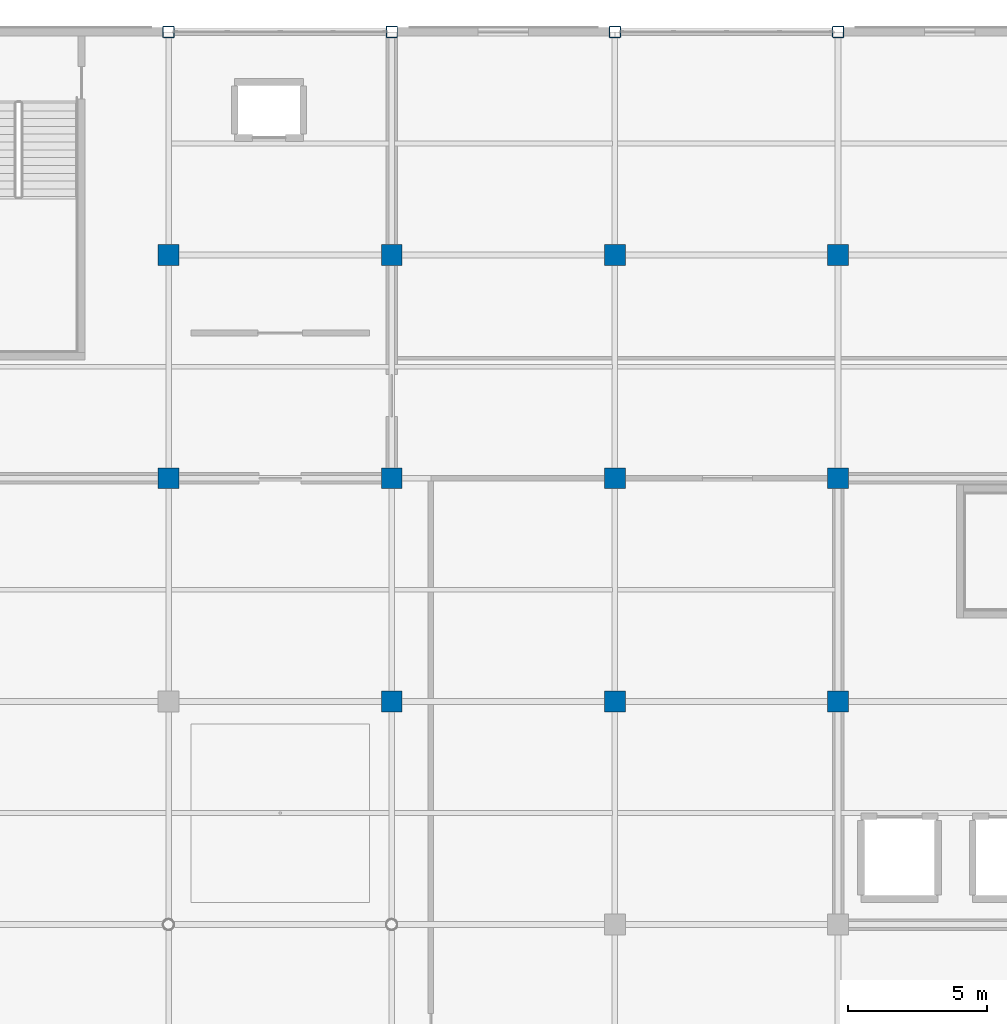
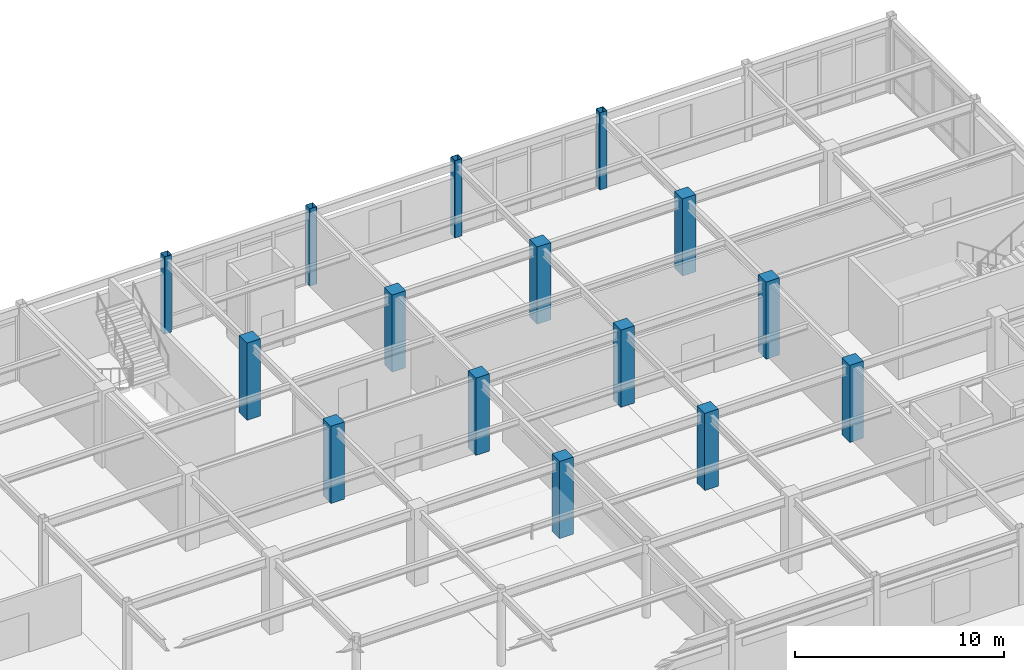
# One storey, part 15 of 111: 15 columns.
"""IFC4 building model written with IfcOpenShell, lengths in metres."""

from ifc_helpers import new_model, si_unit, direction, frame, origin, origin_2d, place, context, subcontext, project, spatial, rectangle, hollow_rectangle, extrude, material, material_profile, profile_set, type_object, element, save


model = new_model("IFC4")

# Units and contexts
model_context = context("Model", 3, precision=1e-05, world=origin(), true_north=direction((0.0, 1.0)))
body_context = subcontext(model_context, "Body", "Model", "MODEL_VIEW")
ifc_project = project(units=[si_unit("LENGTHUNIT", "METRE"), si_unit("AREAUNIT", "SQUARE_METRE"), si_unit("VOLUMEUNIT", "CUBIC_METRE"), si_unit("PLANEANGLEUNIT", "RADIAN"), si_unit("MASSUNIT", "GRAM", prefix="KILO")], contexts=[model_context])

# Site, building, storey
site_placement = place(None, origin())
site = spatial("IfcSite", under=ifc_project, at=site_placement, CompositionType="ELEMENT")
building_placement = place(site_placement, origin())
building = spatial("IfcBuilding", under=site, at=building_placement, Name="Solmirada Galleria", CompositionType="ELEMENT")
storey_placement = place(building_placement, frame((0.0, 0.0, 10.39990234375)))
storey = spatial("IfcBuildingStorey", under=building, at=storey_placement, Name="L02", CompositionType="ELEMENT", Elevation=10.39990234375)

# Columns
ifc_material_1 = material(Name="Steel S355 / ASTM A500 Grade C", Category="steel")
ifc_material_profile_1 = material_profile(ifc_material_1, hollow_rectangle(XDim=0.406005859375, YDim=0.406005859375, WallThickness=0.0146484375, InnerFilletRadius=0.0146484375, OuterFilletRadius=0.029296875, at=origin_2d()), Name="HSS16X16X5/8")
ifc_profile_set_1 = profile_set([ifc_material_profile_1], Name="Steel S355 / ASTM A500 Grade C")
column_type_1 = type_object("IfcColumnType", Name="COL-HSS16", PredefinedType="COLUMN", material=ifc_profile_set_1)
for number, where, z_axis, x_axis, name in (
    (1, (136.0, 120.0, 0.0), (0.0, 0.0, 1.0), (1.0, 0.0, 0.0), "Structural column L02-1199"),
    (2, (144.0, 120.0, 0.0), (0.0, 0.0, 1.0), (1.0, 0.0, 0.0), "Structural column L02-1285"),
    (3, (152.0, 120.0, 0.0), (0.0, 0.0, 1.0), (1.0, 0.0, 0.0), "Structural column L02-1358"),
    (4, (160.0, 120.0, 0.0), (0.0, 0.0, 1.0), (1.0, 0.0, 0.0), "Structural column L02-1431"),
):
    element("IfcColumn", number, at=place(storey_placement, frame(where, z_axis=z_axis, x_axis=x_axis)), inside=storey, type_object=column_type_1, Name=name, PredefinedType="COLUMN", context=body_context, shape_type="SweptSolid", body=[
        extrude(hollow_rectangle(XDim=0.406005859375, YDim=0.406005859375, WallThickness=0.0146484375, InnerFilletRadius=0.0146484375, OuterFilletRadius=0.029296875, at=origin_2d()), origin(), (0.0, 0.0, 1.0), 4.5),
    ])
ifc_material_2 = material(Name="Concrete C40/50", Category="concrete")
ifc_material_profile_2 = material_profile(ifc_material_2, rectangle(XDim=0.75, YDim=0.75, at=origin_2d()), Name="RC750X750")
ifc_profile_set_2 = profile_set([ifc_material_profile_2], Name="Concrete C40/50")
column_type_2 = type_object("IfcColumnType", Name="COL-RC750", PredefinedType="COLUMN", material=ifc_profile_set_2)
for number, where, z_axis, x_axis, name in (
    (5, (136.0, 104.0, 0.0), (0.0, 0.0, 1.0), (1.0, 0.0, 0.0), "Structural column L02-1181"),
    (6, (136.0, 112.0, 0.0), (0.0, 0.0, 1.0), (1.0, 0.0, 0.0), "Structural column L02-1190"),
    (7, (144.0, 96.0, 0.0), (0.0, 0.0, 1.0), (1.0, 0.0, 0.0), "Structural column L02-1258"),
    (8, (144.0, 104.0, 0.0), (0.0, 0.0, 1.0), (1.0, 0.0, 0.0), "Structural column L02-1267"),
    (9, (144.0, 112.0, 0.0), (0.0, 0.0, 1.0), (1.0, 0.0, 0.0), "Structural column L02-1276"),
    (10, (152.0, 96.0, 0.0), (0.0, 0.0, 1.0), (1.0, 0.0, 0.0), "Structural column L02-1331"),
    (11, (152.0, 104.0, 0.0), (0.0, 0.0, 1.0), (1.0, 0.0, 0.0), "Structural column L02-1340"),
    (12, (152.0, 112.0, 0.0), (0.0, 0.0, 1.0), (1.0, 0.0, 0.0), "Structural column L02-1349"),
    (13, (160.0, 96.0, 0.0), (0.0, 0.0, 1.0), (1.0, 0.0, 0.0), "Structural column L02-1404"),
    (14, (160.0, 104.0, 0.0), (0.0, 0.0, 1.0), (1.0, 0.0, 0.0), "Structural column L02-1413"),
    (15, (160.0, 112.0, 0.0), (0.0, 0.0, 1.0), (1.0, 0.0, 0.0), "Structural column L02-1422"),
):
    element("IfcColumn", number, at=place(storey_placement, frame(where, z_axis=z_axis, x_axis=x_axis)), inside=storey, type_object=column_type_2, Name=name, PredefinedType="COLUMN", context=body_context, shape_type="SweptSolid", body=[
        extrude(rectangle(XDim=0.75, YDim=0.75, at=origin_2d()), origin(), (0.0, 0.0, 1.0), 4.5),
    ])

save(model, "model.ifc")
